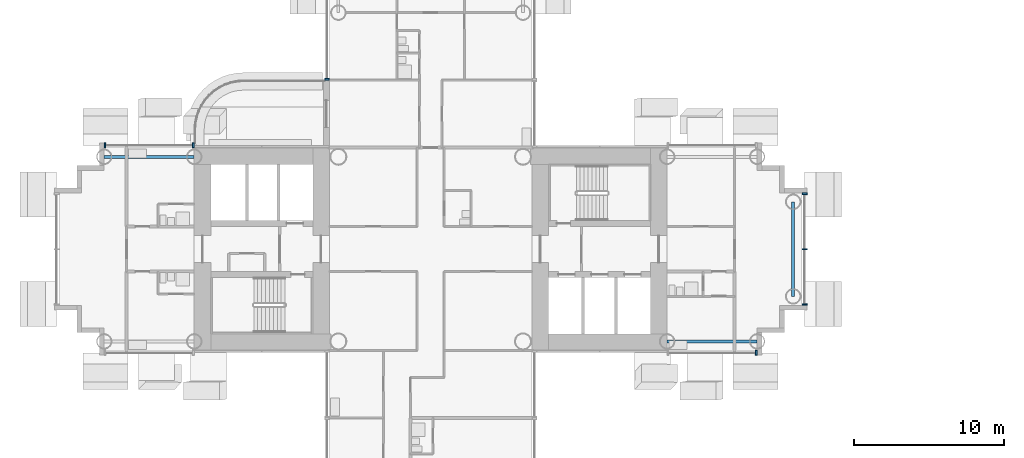
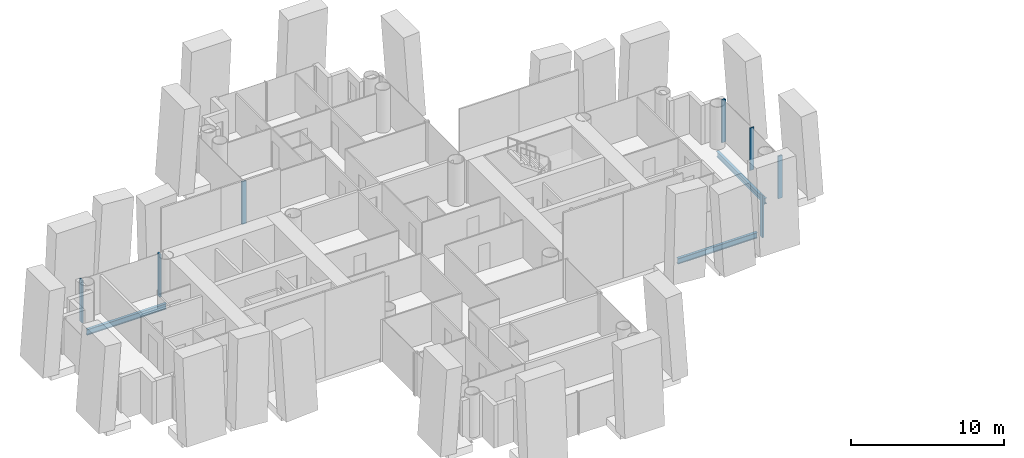
# One storey, part 4 of 25: 7 members, 3 beams, 4 elements without a shape of their own.
"""IFC4 building model written with IfcOpenShell, lengths in metres."""

from ifc_helpers import new_model, si_unit, direction, frame, origin, origin_2d, place, context, subcontext, project, spatial, rectangle, i_section, extrude, material, layer, layer_set, material_profile, profile_set, type_object, element, aggregate, save


model = new_model("IFC4")

# Units and contexts
model_context = context("Model", 3, precision=1e-05, world=origin(), true_north=direction((0.0, 1.0)))
body_context = subcontext(model_context, "Body", "Model", "MODEL_VIEW")
ifc_project = project(units=[si_unit("LENGTHUNIT", "METRE"), si_unit("AREAUNIT", "SQUARE_METRE"), si_unit("VOLUMEUNIT", "CUBIC_METRE"), si_unit("PLANEANGLEUNIT", "RADIAN"), si_unit("MASSUNIT", "GRAM", prefix="KILO")], contexts=[model_context])

# Site, building, storey
site_placement = place(None, origin())
site = spatial("IfcSite", under=ifc_project, at=site_placement, CompositionType="ELEMENT")
building_placement = place(site_placement, origin())
building = spatial("IfcBuilding", under=site, at=building_placement, Name="Ipe Terrace Towers", CompositionType="ELEMENT")
storey_placement = place(building_placement, frame((0.0, 0.0, 31.300048828125)))
storey = spatial("IfcBuildingStorey", under=building, at=storey_placement, Name="L07", CompositionType="ELEMENT", Elevation=31.300048828125)

# Beams
ifc_material_1 = material(Name="Steel S355", Category="steel")
ifc_material_profile_1 = material_profile(ifc_material_1, i_section(OverallWidth=0.199951171875, OverallDepth=0.449951171875, WebThickness=0.009033203125, FlangeThickness=0.013916015625, at=origin_2d()), Name="H-450x200x9x14")
ifc_profile_set_1 = profile_set([ifc_material_profile_1], Name="Steel S355")
beam_type = type_object("IfcBeamType", Name="H08 EDGE BEAM H-450x200x9x14", PredefinedType="BEAM", material=ifc_profile_set_1)
beam_1_placement = place(storey_placement, frame((-20.25, -6.14990234375, -0.625), z_axis=(1.0, 0.0, 0.0), x_axis=(0.0, 1.0, 0.0)))
element("IfcBeam", 1, at=beam_1_placement, inside=storey, type_object=beam_type, Name="Edge beam T1-EB-A01-A03", PredefinedType="BEAM", context=body_context, shape_type="SweptSolid", body=[
    extrude(i_section(OverallWidth=0.199951171875, OverallDepth=0.449951171875, WebThickness=0.009033203125, FlangeThickness=0.013916015625, at=origin_2d()), origin(), (0.0, 0.0, 1.0), 6.0),
])
beam_2_placement = place(storey_placement, frame((-11.85009765625, -3.14990234375, -0.625), z_axis=(0.0, 1.0, 0.0), x_axis=(-1.0, 0.0, 0.0)))
element("IfcBeam", 2, at=beam_2_placement, inside=storey, type_object=beam_type, Name="Edge beam T1-EB-A05-A06", PredefinedType="BEAM", context=body_context, shape_type="SweptSolid", body=[
    extrude(i_section(OverallWidth=0.199951171875, OverallDepth=0.449951171875, WebThickness=0.009033203125, FlangeThickness=0.013916015625, at=origin_2d()), origin(), (0.0, 0.0, 1.0), 6.2998046875),
])
beam_3_placement = place(storey_placement, frame((-51.75, 6.14990234375, -0.625), z_axis=(-1.0, 0.0, 0.0), x_axis=(0.0, -1.0, 0.0)))
element("IfcBeam", 3, at=beam_3_placement, inside=storey, type_object=beam_type, Name="Edge beam T1-EB-C02-C04", PredefinedType="BEAM", context=body_context, shape_type="SweptSolid", body=[
    extrude(i_section(OverallWidth=0.199951171875, OverallDepth=0.449951171875, WebThickness=0.009033203125, FlangeThickness=0.013916015625, at=origin_2d()), origin(), (0.0, 0.0, 1.0), 6.0),
])

# Curtain wall, member
ifc_material_2 = material(Name="Aluminium alloy 6063-T6", Category="aluminium")
ifc_layer = layer(ifc_material_2, 0.320068359375)
ifc_layer_set = layer_set([ifc_layer], Name="TOWER UNITISED CURTAIN WALL")
curtain_wall_type = type_object("IfcCurtainWallType", Name="TOWER UNITISED CURTAIN WALL", PredefinedType="NOTDEFINED", material=ifc_layer_set)
curtain_wall_1_placement = place(storey_placement, origin())
curtain_wall_1 = element("IfcCurtainWall", 4, at=curtain_wall_1_placement, inside=storey, type_object=curtain_wall_type, Name="T1-CW-L07-20b curtain wall", PredefinedType="NOTDEFINED")
ifc_material_3 = material(Name="Aluminium alloy 6063-T6", Category="aluminium")
ifc_material_profile_2 = material_profile(ifc_material_3, rectangle(XDim=0.320068359375, YDim=0.1201171875, at=origin_2d()), Name="TOWER UNITISED CORNER MULLION 320 x 120")
ifc_profile_set_2 = profile_set([ifc_material_profile_2], Name="Aluminium alloy 6063-T6")
member_type_1 = type_object("IfcMemberType", Name="TOWER UNITISED CORNER MULLION 320 x 120", PredefinedType="MULLION", material=ifc_profile_set_2)
member_1_placement = place(storey_placement, frame((-14.31005859375, -6.909912109375, -0.300048828125), z_axis=(0.0, 0.0, 1.0), x_axis=(0.0, -1.0, 0.0)))
member_1 = element("IfcMember", 5, at=member_1_placement, type_object=member_type_1, Name="T1-CW-L07-20b mullion 2", PredefinedType="MULLION", context=body_context, shape_type="SweptSolid", body=[
    extrude(rectangle(XDim=0.320068359375, YDim=0.1201171875, at=origin_2d()), origin(), (0.0, 0.0, 1.0), 3.39990234375),
])
aggregate(curtain_wall_1, [member_1])

# Curtain wall, members
curtain_wall_2_placement = place(storey_placement, origin())
curtain_wall_2 = element("IfcCurtainWall", 6, at=curtain_wall_2_placement, inside=storey, type_object=curtain_wall_type, Name="T1-CW-L07-25a curtain wall", PredefinedType="NOTDEFINED")
member_2_placement = place(storey_placement, frame((-11.090087890625, -3.68994140625, -0.300048828125), z_axis=(0.0, 0.0, 1.0), x_axis=(1.0, 0.0, 0.0)))
member_2 = element("IfcMember", 7, at=member_2_placement, type_object=member_type_1, Name="T1-CW-L07-25a mullion 1", PredefinedType="MULLION", context=body_context, shape_type="SweptSolid", body=[
    extrude(rectangle(XDim=0.320068359375, YDim=0.1201171875, at=origin_2d()), origin(), (0.0, 0.0, 1.0), 3.39990234375),
])
member_3_placement = place(storey_placement, frame((-11.090087890625, 3.68994140625, -0.300048828125), z_axis=(0.0, 0.0, 1.0), x_axis=(1.0, 0.0, 0.0)))
member_3 = element("IfcMember", 8, at=member_3_placement, type_object=member_type_1, Name="T1-CW-L07-25a mullion 3", PredefinedType="MULLION", context=body_context, shape_type="SweptSolid", body=[
    extrude(rectangle(XDim=0.320068359375, YDim=0.1201171875, at=origin_2d()), origin(), (0.0, 0.0, 1.0), 3.39990234375),
])

# Curtain wall, member
curtain_wall_3_placement = place(storey_placement, origin())
curtain_wall_3 = element("IfcCurtainWall", 9, at=curtain_wall_3_placement, inside=storey, type_object=curtain_wall_type, Name="T1-CW-L07-43a curtain wall", PredefinedType="NOTDEFINED")
member_4_placement = place(storey_placement, frame((-42.909912109375, 11.31005859375, -0.300048828125), z_axis=(0.0, 0.0, 1.0), x_axis=(-1.0, 0.0, 0.0)))
member_4 = element("IfcMember", 10, at=member_4_placement, type_object=member_type_1, Name="T1-CW-L07-43a mullion 2", PredefinedType="MULLION", context=body_context, shape_type="SweptSolid", body=[
    extrude(rectangle(XDim=0.320068359375, YDim=0.1201171875, at=origin_2d()), origin(), (0.0, 0.0, 1.0), 3.39990234375),
])
aggregate(curtain_wall_3, [member_4])

# Curtain wall, members
curtain_wall_4_placement = place(storey_placement, origin())
curtain_wall_4 = element("IfcCurtainWall", 11, at=curtain_wall_4_placement, inside=storey, type_object=curtain_wall_type, Name="T1-CW-L07-46b curtain wall", PredefinedType="NOTDEFINED")
member_5_placement = place(storey_placement, frame((-51.81103515625, 6.909912109375, -0.300048828125), z_axis=(0.0, 0.0, 1.0), x_axis=(0.0, 1.0, 0.0)))
member_5 = element("IfcMember", 12, at=member_5_placement, type_object=member_type_1, Name="T1-CW-L07-46b mullion 1", PredefinedType="MULLION", context=body_context, shape_type="SweptSolid", body=[
    extrude(rectangle(XDim=0.320068359375, YDim=0.1201171875, at=origin_2d()), origin(), (0.0, 0.0, 1.0), 3.39990234375),
])
member_6_placement = place(storey_placement, frame((-57.68994140625, 6.909912109375, -0.300048828125), z_axis=(0.0, 0.0, 1.0), x_axis=(0.0, 1.0, 0.0)))
member_6 = element("IfcMember", 13, at=member_6_placement, type_object=member_type_1, Name="T1-CW-L07-46b mullion 2", PredefinedType="MULLION", context=body_context, shape_type="SweptSolid", body=[
    extrude(rectangle(XDim=0.320068359375, YDim=0.1201171875, at=origin_2d()), origin(), (0.0, 0.0, 1.0), 3.39990234375),
])
aggregate(curtain_wall_4, [member_5, member_6])

# Member
ifc_material_4 = material(Name="Aluminium alloy 6063-T6", Category="aluminium")
ifc_material_profile_3 = material_profile(ifc_material_4, rectangle(XDim=0.320068359375, YDim=0.06494140625, at=origin_2d()), Name="TOWER UNITISED MULLION 320 x 65")
ifc_profile_set_3 = profile_set([ifc_material_profile_3], Name="Aluminium alloy 6063-T6")
member_type_2 = type_object("IfcMemberType", Name="TOWER UNITISED MULLION 320 x 65", PredefinedType="MULLION", material=ifc_profile_set_3)
member_7_placement = place(storey_placement, frame((-11.090087890625, 0.0, -0.300048828125), z_axis=(0.0, 0.0, 1.0), x_axis=(1.0, 0.0, 0.0)))
member_7 = element("IfcMember", 14, at=member_7_placement, type_object=member_type_2, Name="T1-CW-L07-25a mullion 2", PredefinedType="MULLION", context=body_context, shape_type="SweptSolid", body=[
    extrude(rectangle(XDim=0.320068359375, YDim=0.06494140625, at=origin_2d()), origin(), (0.0, 0.0, 1.0), 3.39990234375),
])

aggregate(curtain_wall_2, [member_2, member_7, member_3])

save(model, "model.ifc")
